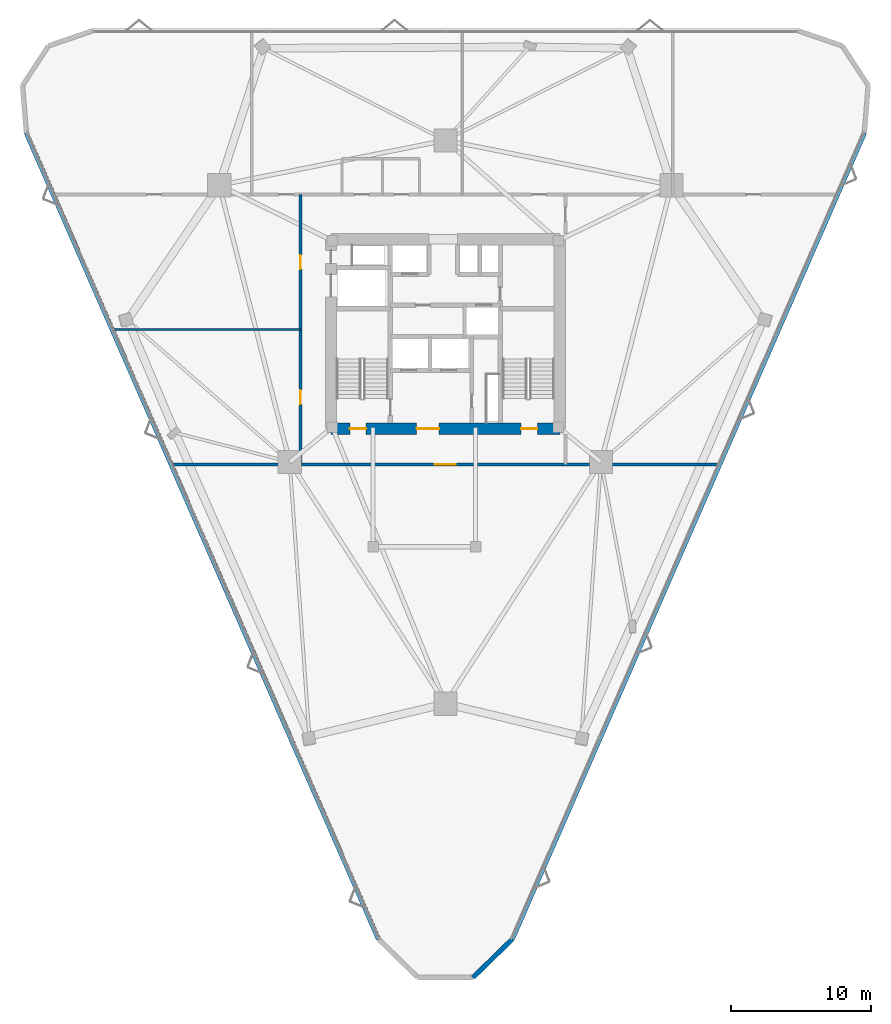
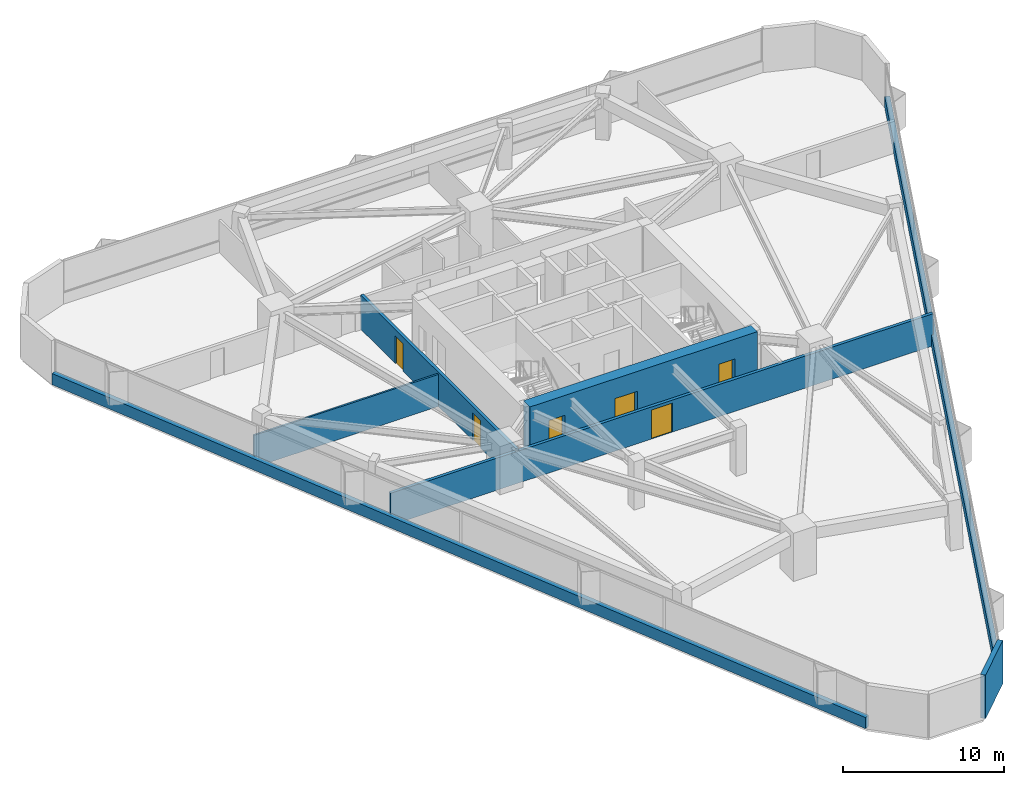
# One storey, part 11 of 14: 7 walls, 6 doors, 6 openings.
"""IFC4 building model written with IfcOpenShell, lengths in metres."""

from ifc_helpers import new_model, si_unit, direction, frame, frame_2d, origin, place, context, subcontext, project, spatial, rectangle, extrude, material, layer, layer_set, type_object, element, fill, save


model = new_model("IFC4")

# Units and contexts
model_context = context("Model", 3, precision=1e-05, world=origin(), true_north=direction((0.0, 1.0)))
body_context = subcontext(model_context, "Body", "Model", "MODEL_VIEW")
ifc_project = project(units=[si_unit("LENGTHUNIT", "METRE"), si_unit("AREAUNIT", "SQUARE_METRE"), si_unit("VOLUMEUNIT", "CUBIC_METRE"), si_unit("PLANEANGLEUNIT", "RADIAN"), si_unit("MASSUNIT", "GRAM", prefix="KILO")], contexts=[model_context])

# Site, building, storey
site_placement = place(None, origin())
site = spatial("IfcSite", under=ifc_project, at=site_placement, CompositionType="ELEMENT")
building_placement = place(site_placement, origin())
building = spatial("IfcBuilding", under=site, at=building_placement, Name="Talyreon Biosciences Tower", CompositionType="ELEMENT")
storey_placement = place(building_placement, frame((0.0, 0.0, 115.14990234375)))
storey = spatial("IfcBuildingStorey", under=building, at=storey_placement, Name="L30", CompositionType="ELEMENT", Elevation=115.14990234375)

# Wall, openings, doors
ifc_material_1 = material(Name="Concrete C60/75", Category="concrete")
ifc_layer_1 = layer(ifc_material_1, 0.800048828125)
ifc_layer_set_1 = layer_set([ifc_layer_1], Name="Concrete C60/75")
wall_type_1 = type_object("IfcWallType", Name="CoreShearWall_800", PredefinedType="SHEAR", material=ifc_layer_set_1)
wall_1_placement = place(storey_placement, frame((57.85009765625, 61.25, 0.0), z_axis=(0.0, 0.0, 1.0), x_axis=(1.0, 0.0, 0.0)))
wall_1 = element("IfcWall", 1, at=wall_1_placement, inside=storey, type_object=wall_type_1, Name="L30 Core Shear Wall S", PredefinedType="SHEAR", context=body_context, shape_type="SweptSolid", body=[
    extrude(rectangle(XDim=16.2998046875, YDim=0.800048828125, at=frame_2d((8.14990234375, 0.0))), origin(), (0.0, 0.0, 1.0), 3.650146484375),
])
opening_1_placement = place(wall_1_placement, frame((1.35009765625, 0.0, 0.0)))
opening_1 = element("IfcOpeningElement", 2, at=opening_1_placement, cuts=wall_1, Name="Opening DR-L30-ST1", PredefinedType="OPENING", context=body_context, shape_type="SweptSolid", body=[
    extrude(rectangle(XDim=1.14990234375, YDim=2.14990234375, at=frame_2d((0.574951171875, 1.074951171875))), frame((0.0, 0.409912109375, 0.0), z_axis=(0.0, -1.0, 0.0), x_axis=(1.0, 0.0, 0.0)), (0.0, 0.0, 1.0), 0.820068359375),
])
opening_2_placement = place(wall_1_placement, frame((6.10009765625, 0.0, 0.0)))
opening_2 = element("IfcOpeningElement", 3, at=opening_2_placement, cuts=wall_1, Name="Opening DR-L30-FFL", PredefinedType="OPENING", context=body_context, shape_type="SweptSolid", body=[
    extrude(rectangle(XDim=1.60009765625, YDim=2.14990234375, at=frame_2d((0.800048828125, 1.074951171875))), frame((0.0, 0.409912109375, 0.0), z_axis=(0.0, -1.0, 0.0), x_axis=(1.0, 0.0, 0.0)), (0.0, 0.0, 1.0), 0.820068359375),
])
opening_3_placement = place(wall_1_placement, frame((13.550048828125, 0.0, 0.0)))
opening_3 = element("IfcOpeningElement", 4, at=opening_3_placement, cuts=wall_1, Name="Opening DR-L30-ST2", PredefinedType="OPENING", context=body_context, shape_type="SweptSolid", body=[
    extrude(rectangle(XDim=1.14990234375, YDim=2.14990234375, at=frame_2d((0.574951171875, 1.074951171875))), frame((0.0, 0.409912109375, 0.0), z_axis=(0.0, -1.0, 0.0), x_axis=(1.0, 0.0, 0.0)), (0.0, 0.0, 1.0), 0.820068359375),
])
ifc_material_2 = material(Name="Painted steel smoke-seal fire door", Category="steel")
door_type_1 = type_object("IfcDoorType", Name="FirefightingLobbyDoubleDoor_1600x2150", OperationType="DOUBLE_DOOR_SINGLE_SWING", PredefinedType="DOOR", material=ifc_material_2)
door_1_placement = place(opening_2_placement, origin())
door_1 = element("IfcDoor", 5, at=door_1_placement, inside=storey, type_object=door_type_1, Name="L30 Core Door DR-L30-FFL", OperationType="DOUBLE_DOOR_SINGLE_SWING", OverallHeight=2.14990234375, OverallWidth=1.60009765625, PredefinedType="DOOR", context=body_context, shape_type="SweptSolid", body=[
    extrude(rectangle(XDim=1.60009765625, YDim=2.14990234375, at=frame_2d((0.800048828125, 1.074951171875))), frame((0.0, 0.02490234375, 0.0), z_axis=(0.0, -1.0, 0.0), x_axis=(1.0, 0.0, 0.0)), (0.0, 0.0, 1.0), 0.050048828125),
])
fill(opening_2, door_1)
ifc_material_3 = material(Name="Painted steel fire door", Category="steel")
door_type_2 = type_object("IfcDoorType", Name="StairShaftFireDoor_1150x2150", OperationType="NOTDEFINED", PredefinedType="DOOR", material=ifc_material_3)
door_2_placement = place(opening_1_placement, origin())
door_2 = element("IfcDoor", 6, at=door_2_placement, inside=storey, type_object=door_type_2, Name="L30 Core Door DR-L30-ST1", OperationType="SINGLE_SWING_LEFT", OverallHeight=2.14990234375, OverallWidth=1.14990234375, PredefinedType="DOOR", context=body_context, shape_type="SweptSolid", body=[
    extrude(rectangle(XDim=1.14990234375, YDim=2.14990234375, at=frame_2d((0.574951171875, 1.074951171875))), frame((0.0, 0.02490234375, 0.0), z_axis=(0.0, -1.0, 0.0), x_axis=(1.0, 0.0, 0.0)), (0.0, 0.0, 1.0), 0.050048828125),
])
fill(opening_1, door_2)
door_3_placement = place(opening_3_placement, origin())
door_3 = element("IfcDoor", 7, at=door_3_placement, inside=storey, type_object=door_type_2, Name="L30 Core Door DR-L30-ST2", OperationType="SINGLE_SWING_RIGHT", OverallHeight=2.14990234375, OverallWidth=1.14990234375, PredefinedType="DOOR", context=body_context, shape_type="SweptSolid", body=[
    extrude(rectangle(XDim=1.14990234375, YDim=2.14990234375, at=frame_2d((0.574951171875, 1.074951171875))), frame((0.0, 0.02490234375, 0.0), z_axis=(0.0, -1.0, 0.0), x_axis=(1.0, 0.0, 0.0)), (0.0, 0.0, 1.0), 0.050048828125),
])
fill(opening_3, door_3)

# Wall, opening, door
ifc_material_4 = material(Name="Gypsum fireboard acoustic stud", Category="gypsum")
ifc_layer_2 = layer(ifc_material_4, 0.219970703125)
ifc_layer_set_2 = layer_set([ifc_layer_2], Name="Gypsum fireboard acoustic stud")
wall_type_2 = type_object("IfcWallType", Name="CorridorRatedPartition_220", PredefinedType="PARTITIONING", material=ifc_layer_set_2)
wall_2_placement = place(storey_placement, frame((46.5625, 58.699951171875, 0.0), z_axis=(0.0, 0.0, 1.0), x_axis=(1.0, 0.0, 0.0)))
wall_2 = element("IfcWall", 8, at=wall_2_placement, inside=storey, type_object=wall_type_2, Name="L30 Interior Wall IW-L30-COR-S", PredefinedType="PARTITIONING", context=body_context, shape_type="SweptSolid", body=[
    extrude(rectangle(XDim=38.875, YDim=0.219970703125, at=frame_2d((19.4375, 0.0))), origin(), (0.0, 0.0, 1.0), 2.43017578125),
])
opening_4_placement = place(wall_2_placement, frame((18.68701171875, 0.0, 0.0)))
opening_4 = element("IfcOpeningElement", 9, at=opening_4_placement, cuts=wall_2, Name="Opening DR-L30-S1A", PredefinedType="OPENING", context=body_context, shape_type="SweptSolid", body=[
    extrude(rectangle(XDim=1.5, YDim=2.199951171875, at=frame_2d((0.75, 1.10009765625))), frame((0.0, 0.119873046875, 0.0), z_axis=(0.0, -1.0, 0.0), x_axis=(1.0, 0.0, 0.0)), (0.0, 0.0, 1.0), 0.239990234375),
])
ifc_material_5 = material(Name="Vision-panel steel laboratory fire door", Category="steel")
door_type_3 = type_object("IfcDoorType", Name="WetLabDoubleLeafDoor_1500x2200", OperationType="DOUBLE_DOOR_SINGLE_SWING", PredefinedType="DOOR", material=ifc_material_5)
door_4_placement = place(opening_4_placement, origin())
door_4 = element("IfcDoor", 10, at=door_4_placement, inside=storey, type_object=door_type_3, Name="L30 Interior Door DR-L30-S1A", OperationType="DOUBLE_DOOR_SINGLE_SWING", OverallHeight=2.199951171875, OverallWidth=1.5, PredefinedType="DOOR", context=body_context, shape_type="SweptSolid", body=[
    extrude(rectangle(XDim=1.5, YDim=2.199951171875, at=frame_2d((0.75, 1.10009765625))), frame((0.0, 0.02490234375, 0.0), z_axis=(0.0, -1.0, 0.0), x_axis=(1.0, 0.0, 0.0)), (0.0, 0.0, 1.0), 0.050048828125),
])
fill(opening_4, door_4)

# Wall, openings, doors
wall_3_placement = place(storey_placement, frame((55.679931640625, 58.699951171875, 0.0), z_axis=(0.0, 0.0, 1.0), x_axis=(0.0, 1.0, 0.0)))
wall_3 = element("IfcWall", 11, at=wall_3_placement, inside=storey, type_object=wall_type_2, Name="L30 Interior Wall IW-L30-COR-W", PredefinedType="PARTITIONING", context=body_context, shape_type="SweptSolid", body=[
    extrude(rectangle(XDim=19.22998046875, YDim=0.219970703125, at=frame_2d((9.614990234375, 0.0))), origin(), (0.0, 0.0, 1.0), 2.580078125),
])
opening_5_placement = place(wall_3_placement, frame((4.306884765625, 0.0, 0.0)))
opening_5 = element("IfcOpeningElement", 12, at=opening_5_placement, cuts=wall_3, Name="Opening DR-L30-W1A", PredefinedType="OPENING", context=body_context, shape_type="SweptSolid", body=[
    extrude(rectangle(XDim=1.0, YDim=2.10009765625, at=frame_2d((0.5, 1.050048828125))), frame((0.0, 0.119873046875, 0.0), z_axis=(0.0, -1.0, 0.0), x_axis=(1.0, 0.0, 0.0)), (0.0, 0.0, 1.0), 0.239990234375),
])
opening_6_placement = place(wall_3_placement, frame((13.922119140625, 0.0, 0.0)))
opening_6 = element("IfcOpeningElement", 13, at=opening_6_placement, cuts=wall_3, Name="Opening DR-L30-W2A", PredefinedType="OPENING", context=body_context, shape_type="SweptSolid", body=[
    extrude(rectangle(XDim=1.0, YDim=2.10009765625, at=frame_2d((0.5, 1.050048828125))), frame((0.0, 0.119873046875, 0.0), z_axis=(0.0, -1.0, 0.0), x_axis=(1.0, 0.0, 0.0)), (0.0, 0.0, 1.0), 0.239990234375),
])
ifc_material_6 = material(Name="Acoustic oak veneer office door", Category="wood")
door_type_4 = type_object("IfcDoorType", Name="WriteupOfficeDoor_1000x2100", OperationType="NOTDEFINED", PredefinedType="DOOR", material=ifc_material_6)
door_5_placement = place(opening_5_placement, origin())
door_5 = element("IfcDoor", 14, at=door_5_placement, inside=storey, type_object=door_type_4, Name="L30 Interior Door DR-L30-W1A", OperationType="SINGLE_SWING_RIGHT", OverallHeight=2.10009765625, OverallWidth=1.0, PredefinedType="DOOR", context=body_context, shape_type="SweptSolid", body=[
    extrude(rectangle(XDim=1.0, YDim=2.10009765625, at=frame_2d((0.5, 1.050048828125))), frame((0.0, 0.02490234375, 0.0), z_axis=(0.0, -1.0, 0.0), x_axis=(1.0, 0.0, 0.0)), (0.0, 0.0, 1.0), 0.050048828125),
])
fill(opening_5, door_5)
door_6_placement = place(opening_6_placement, origin())
door_6 = element("IfcDoor", 15, at=door_6_placement, inside=storey, type_object=door_type_4, Name="L30 Interior Door DR-L30-W2A", OperationType="SINGLE_SWING_LEFT", OverallHeight=2.10009765625, OverallWidth=1.0, PredefinedType="DOOR", context=body_context, shape_type="SweptSolid", body=[
    extrude(rectangle(XDim=1.0, YDim=2.10009765625, at=frame_2d((0.5, 1.050048828125))), frame((0.0, 0.02490234375, 0.0), z_axis=(0.0, -1.0, 0.0), x_axis=(1.0, 0.0, 0.0)), (0.0, 0.0, 1.0), 0.050048828125),
])
fill(opening_6, door_6)

# Walls
ifc_material_7 = material(Name="Gypsum acoustic stud partition", Category="gypsum")
ifc_layer_3 = layer(ifc_material_7, 0.1298828125)
ifc_layer_set_3 = layer_set([ifc_layer_3], Name="Gypsum acoustic stud partition")
wall_type_3 = type_object("IfcWallType", Name="OfficeWriteupPartition_130", PredefinedType="PARTITIONING", material=ifc_layer_set_3)
wall_4_placement = place(storey_placement, frame((42.363525390625, 68.31494140625, 0.0), z_axis=(0.0, 0.0, 1.0), x_axis=(1.0, 0.0, 0.0)))
element("IfcWall", 16, at=wall_4_placement, inside=storey, type_object=wall_type_3, Name="L30 Interior Wall IW-L30-WDIV1", PredefinedType="PARTITIONING", context=body_context, shape_type="SweptSolid", body=[
    extrude(rectangle(XDim=13.31640625, YDim=0.1298828125, at=frame_2d((6.658203125, 0.0))), origin(), (0.0, 0.0, 1.0), 2.43017578125),
])
ifc_material_8 = material(Name="Precast concrete C45/55", Category="concrete")
ifc_layer_4 = layer(ifc_material_8, 0.340087890625)
ifc_layer_set_4 = layer_set([ifc_layer_4], Name="Precast concrete C45/55")
wall_type_4 = type_object("IfcWallType", Name="PrecastConcreteSpandrelWall_340", PredefinedType="STANDARD", material=ifc_layer_set_4)
for number, where, z_axis, x_axis, name in (
    (17, (61.234619140625, 24.892578125, 0.0), (0.0, 0.0, 1.0), (-0.400226042304, 0.916416452854, 0.0), "L30 Expressed Concrete Sill Wall 00"),
    (18, (95.853759765625, 82.338623046875, 0.0), (0.0, 0.0, 1.0), (-0.400226042304, -0.916416452854, 0.0), "L30 Expressed Concrete Sill Wall 08"),
):
    element("IfcWall", number, at=place(storey_placement, frame(where, z_axis=z_axis, x_axis=x_axis)), inside=storey, type_object=wall_type_4, Name=name, PredefinedType="STANDARD", context=body_context, shape_type="SweptSolid", body=[
        extrude(rectangle(XDim=62.685546875, YDim=0.340087890625, at=frame_2d((31.3427734375, 0.0))), origin(), (0.0, 0.0, 1.0), 0.85009765625),
    ])
wall_5_placement = place(storey_placement, frame((70.765380859375, 24.892578125, 0.0), z_axis=(0.0, 0.0, 1.0), x_axis=(-0.716021159022, -0.69807857712, 0.0)))
element("IfcWall", 19, at=wall_5_placement, inside=storey, type_object=wall_type_4, Name="L30 Rounded-Corner Concrete Pier 09", PredefinedType="STANDARD", context=body_context, shape_type="SweptSolid", body=[
    extrude(rectangle(XDim=3.918701171875, YDim=0.340087890625, at=frame_2d((1.95947265625, 0.0))), origin(), (0.0, 0.0, 1.0), 3.300048828125),
])

save(model, "model.ifc")
